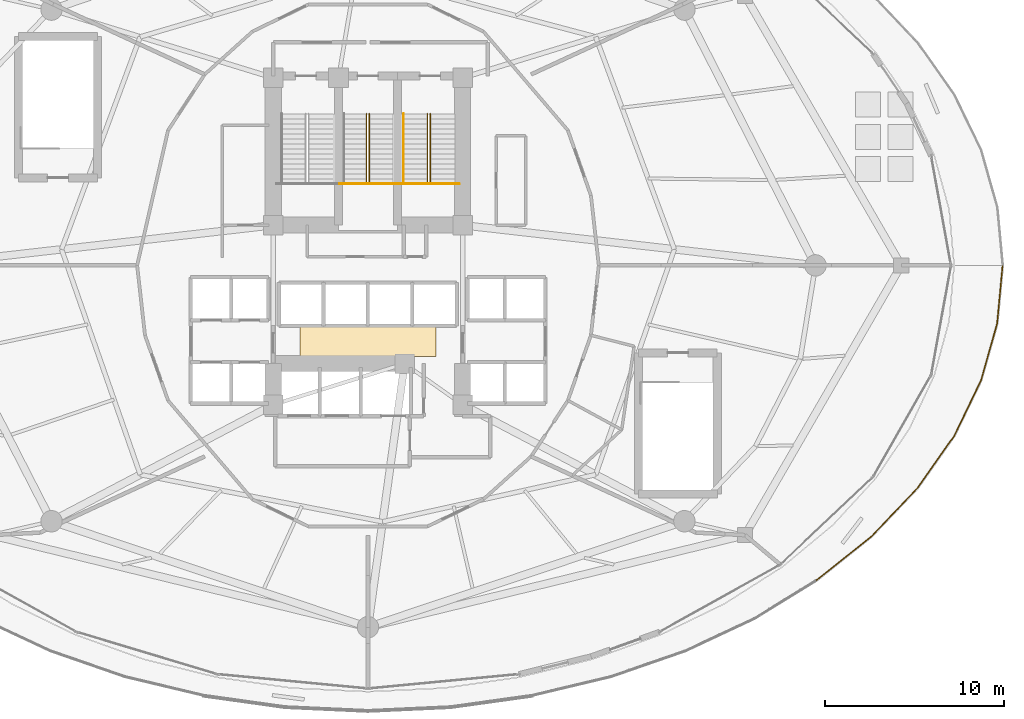
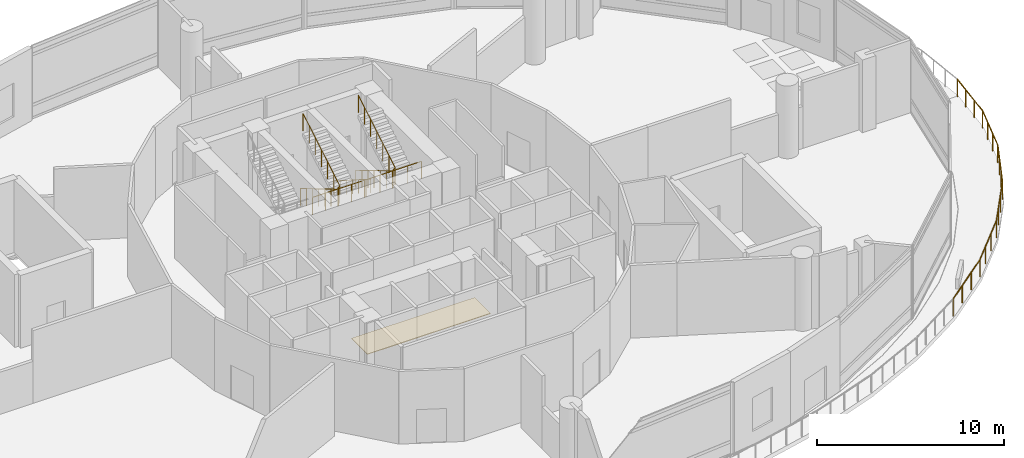
# One storey, part 32 of 34: 6 railings, 1 covering.
"""IFC4 building model written with IfcOpenShell, lengths in metres."""

from ifc_helpers import new_model, si_unit, direction, frame, origin, place, context, subcontext, project, spatial, polyline, outline, extrude, material, layer, layer_set, type_object, element, save


model = new_model("IFC4")

# Units and contexts
model_context = context("Model", 3, precision=1e-05, world=origin(), true_north=direction((0.0, 1.0)))
body_context = subcontext(model_context, "Body", "Model", "MODEL_VIEW")
ifc_project = project(units=[si_unit("LENGTHUNIT", "METRE"), si_unit("AREAUNIT", "SQUARE_METRE"), si_unit("VOLUMEUNIT", "CUBIC_METRE"), si_unit("PLANEANGLEUNIT", "RADIAN"), si_unit("MASSUNIT", "GRAM", prefix="KILO")], contexts=[model_context])

# Site, building, storey
site_placement = place(None, origin())
site = spatial("IfcSite", under=ifc_project, at=site_placement, CompositionType="ELEMENT")
building_placement = place(site_placement, origin())
building = spatial("IfcBuilding", under=site, at=building_placement, Name="Nuhasar Tower", CompositionType="ELEMENT")
storey_placement = place(building_placement, frame((0.0, 0.0, 16.0)))
storey = spatial("IfcBuildingStorey", under=building, at=storey_placement, Name="L03", CompositionType="ELEMENT", Elevation=16.0)

# Covering
ifc_material_1 = material(Name="Granite Stone Tile", Category="masonry")
ifc_layer = layer(ifc_material_1, 0.0400390625)
ifc_layer_set = layer_set([ifc_layer], Name="Granite Stone Tile")
covering_type = type_object("IfcCoveringType", Name="COV-FLR-STN40", PredefinedType="FLOORING", material=ifc_layer_set)
covering_placement = place(storey_placement, origin())
element("IfcCovering", 1, at=covering_placement, inside=storey, type_object=covering_type, Name="L03 Granite Lobby Flooring", PredefinedType="FLOORING", context=body_context, shape_type="SweptSolid", body=[
    extrude(outline(polyline([(35.199951171875, 21.699951171875), (42.800048828125, 21.699951171875), (42.800048828125, 23.39990234375), (35.199951171875, 23.39990234375), (35.199951171875, 21.699951171875)])), origin(), (0.0, 0.0, 1.0), 0.0400390625),
])

# Railings
ifc_material_2 = material(Name="Steel S355", Category="steel")
railing_type_1 = type_object("IfcRailingType", Name="RLG-STAIR-GUARD-1150", PredefinedType="GUARDRAIL", material=ifc_material_2)
railing_1_placement = place(storey_placement, frame((37.39990234375, 31.364990234375, 2.5)))
element("IfcRailing", 2, at=railing_1_placement, inside=storey, type_object=railing_type_1, Name="L03 Stair ST-03 Guardrail LND", PredefinedType="GUARDRAIL", context=body_context, shape_type="SweptSolid", body=[
    extrude(outline(polyline([(0.024169921875, 0.0), (0.01708984375, 0.01708984375), (0.0, 0.024169921875), (-0.01708984375, 0.01708984375), (-0.024169921875, 0.0), (-0.01708984375, -0.01708984375), (0.0, -0.024169921875), (0.01708984375, -0.01708984375), (0.024169921875, 0.0)])), frame((0.0, 0.0, 1.1259765625), z_axis=(1.0, 0.0, 0.0), x_axis=(0.0, 1.0, 0.0)), (0.0, 0.0, 1.0), 3.2001953125),
    extrude(outline(polyline([(0.02099609375, 0.0), (0.014892578125, 0.014892578125), (0.0, 0.02099609375), (-0.014892578125, 0.014892578125), (-0.02099609375, 0.0), (-0.014892578125, -0.014892578125), (0.0, -0.02099609375), (0.014892578125, -0.014892578125), (0.02099609375, 0.0)])), origin(), (0.0, 0.0, 1.0), 1.101806640625),
    extrude(outline(polyline([(0.02099609375, 0.0), (0.014892578125, 0.014892578125), (0.0, 0.02099609375), (-0.014892578125, 0.014892578125), (-0.02099609375, 0.0), (-0.014892578125, -0.014892578125), (0.0, -0.02099609375), (0.014892578125, -0.014892578125), (0.02099609375, 0.0)])), frame((0.800048828125, 0.0, 0.0)), (0.0, 0.0, 1.0), 1.101806640625),
    extrude(outline(polyline([(0.02099609375, 0.0), (0.014892578125, 0.014892578125), (0.0, 0.02099609375), (-0.014892578125, 0.014892578125), (-0.02099609375, 0.0), (-0.014892578125, -0.014892578125), (0.0, -0.02099609375), (0.014892578125, -0.014892578125), (0.02099609375, 0.0)])), frame((1.60009765625, 0.0, 0.0)), (0.0, 0.0, 1.0), 1.101806640625),
    extrude(outline(polyline([(0.02099609375, 0.0), (0.014892578125, 0.014892578125), (0.0, 0.02099609375), (-0.014892578125, 0.014892578125), (-0.02099609375, 0.0), (-0.014892578125, -0.014892578125), (0.0, -0.02099609375), (0.014892578125, -0.014892578125), (0.02099609375, 0.0)])), frame((2.400146484375, 0.0, 0.0)), (0.0, 0.0, 1.0), 1.101806640625),
    extrude(outline(polyline([(0.02099609375, 0.0), (0.014892578125, 0.014892578125), (0.0, 0.02099609375), (-0.014892578125, 0.014892578125), (-0.02099609375, 0.0), (-0.014892578125, -0.014892578125), (0.0, -0.02099609375), (0.014892578125, -0.014892578125), (0.02099609375, 0.0)])), frame((3.2001953125, 0.0, 0.0)), (0.0, 0.0, 1.0), 1.101806640625),
])
railing_2_placement = place(storey_placement, frame((38.919921875, 35.284912109375, 0.1669921875)))
element("IfcRailing", 3, at=railing_2_placement, inside=storey, type_object=railing_type_1, Name="L03 Stair ST-03 Guardrail SLT", PredefinedType="GUARDRAIL", context=body_context, shape_type="SweptSolid", body=[
    extrude(outline(polyline([(0.024169921875, 0.0), (0.01708984375, 0.01708984375), (0.0, 0.024169921875), (-0.01708984375, 0.01708984375), (-0.024169921875, 0.0), (-0.01708984375, -0.01708984375), (0.0, -0.024169921875), (0.01708984375, -0.01708984375), (0.024169921875, 0.0)])), frame((0.0, 0.0, 1.1259765625), z_axis=(0.0, -0.85931976652, 0.511438695121), x_axis=(1.0, 0.0, 0.0)), (0.0, 0.0, 1.0), 4.561767578125),
    extrude(outline(polyline([(0.024169921875, 0.0), (0.01708984375, 0.01708984375), (0.0, 0.024169921875), (-0.01708984375, 0.01708984375), (-0.024169921875, 0.0), (-0.01708984375, -0.01708984375), (0.0, -0.024169921875), (0.01708984375, -0.01708984375), (0.024169921875, 0.0)])), frame((0.0, -3.919921875, 3.458984375), z_axis=(0.692180321226, 0.0, 0.72172460323), x_axis=(0.0, 1.0, 0.0)), (0.0, 0.0, 1.0), 0.2314453125),
    extrude(outline(polyline([(0.024169921875, 0.0), (0.01708984375, 0.01708984375), (0.0, 0.024169921875), (-0.01708984375, 0.01708984375), (-0.024169921875, 0.0), (-0.01708984375, -0.01708984375), (0.0, -0.024169921875), (0.01708984375, -0.01708984375), (0.024169921875, 0.0)])), frame((0.16015625, -3.919921875, 3.6259765625), z_axis=(0.0, 0.85931976652, 0.511438695121), x_axis=(-1.0, 0.0, 0.0)), (0.0, 0.0, 1.0), 4.561767578125),
    extrude(outline(polyline([(0.02099609375, 0.0), (0.014892578125, 0.014892578125), (0.0, 0.02099609375), (-0.014892578125, 0.014892578125), (-0.02099609375, 0.0), (-0.014892578125, -0.014892578125), (0.0, -0.02099609375), (0.014892578125, -0.014892578125), (0.02099609375, 0.0)])), origin(), (0.0, 0.0, 1.0), 1.101806640625),
    extrude(outline(polyline([(0.02099609375, 0.0), (0.014892578125, 0.014892578125), (0.0, 0.02099609375), (-0.014892578125, 0.014892578125), (-0.02099609375, 0.0), (-0.014892578125, -0.014892578125), (0.0, -0.02099609375), (0.014892578125, -0.014892578125), (0.02099609375, 0.0)])), frame((0.0, -0.6533203125, 0.388916015625)), (0.0, 0.0, 1.0), 1.101806640625),
    extrude(outline(polyline([(0.02099609375, 0.0), (0.014892578125, 0.014892578125), (0.0, 0.02099609375), (-0.014892578125, 0.014892578125), (-0.02099609375, 0.0), (-0.014892578125, -0.014892578125), (0.0, -0.02099609375), (0.014892578125, -0.014892578125), (0.02099609375, 0.0)])), frame((0.0, -1.306640625, 0.777587890625)), (0.0, 0.0, 1.0), 1.101806640625),
    extrude(outline(polyline([(0.02099609375, 0.0), (0.014892578125, 0.014892578125), (0.0, 0.02099609375), (-0.014892578125, 0.014892578125), (-0.02099609375, 0.0), (-0.014892578125, -0.014892578125), (0.0, -0.02099609375), (0.014892578125, -0.014892578125), (0.02099609375, 0.0)])), frame((0.0, -1.9599609375, 1.16650390625)), (0.0, 0.0, 1.0), 1.101806640625),
    extrude(outline(polyline([(0.02099609375, 0.0), (0.014892578125, 0.014892578125), (0.0, 0.02099609375), (-0.014892578125, 0.014892578125), (-0.02099609375, 0.0), (-0.014892578125, -0.014892578125), (0.0, -0.02099609375), (0.014892578125, -0.014892578125), (0.02099609375, 0.0)])), frame((0.0, -2.61328125, 1.555419921875)), (0.0, 0.0, 1.0), 1.101806640625),
    extrude(outline(polyline([(0.02099609375, 0.0), (0.014892578125, 0.014892578125), (0.0, 0.02099609375), (-0.014892578125, 0.014892578125), (-0.02099609375, 0.0), (-0.014892578125, -0.014892578125), (0.0, -0.02099609375), (0.014892578125, -0.014892578125), (0.02099609375, 0.0)])), frame((0.0, -3.2666015625, 1.944091796875)), (0.0, 0.0, 1.0), 1.101806640625),
    extrude(outline(polyline([(0.02099609375, 0.0), (0.014892578125, 0.014892578125), (0.0, 0.02099609375), (-0.014892578125, 0.014892578125), (-0.02099609375, 0.0), (-0.014892578125, -0.014892578125), (0.0, -0.02099609375), (0.014892578125, -0.014892578125), (0.02099609375, 0.0)])), frame((0.0, -3.919921875, 2.3330078125)), (0.0, 0.0, 1.0), 1.101806640625),
    extrude(outline(polyline([(0.02099609375, 0.0), (0.014892578125, 0.014892578125), (0.0, 0.02099609375), (-0.014892578125, 0.014892578125), (-0.02099609375, 0.0), (-0.014892578125, -0.014892578125), (0.0, -0.02099609375), (0.014892578125, -0.014892578125), (0.02099609375, 0.0)])), frame((0.16015625, -3.919921875, 2.5)), (0.0, 0.0, 1.0), 1.101806640625),
    extrude(outline(polyline([(0.02099609375, 0.0), (0.014892578125, 0.014892578125), (0.0, 0.02099609375), (-0.014892578125, 0.014892578125), (-0.02099609375, 0.0), (-0.014892578125, -0.014892578125), (0.0, -0.02099609375), (0.014892578125, -0.014892578125), (0.02099609375, 0.0)])), frame((0.16015625, -3.2666015625, 2.888916015625)), (0.0, 0.0, 1.0), 1.101806640625),
    extrude(outline(polyline([(0.02099609375, 0.0), (0.014892578125, 0.014892578125), (0.0, 0.02099609375), (-0.014892578125, 0.014892578125), (-0.02099609375, 0.0), (-0.014892578125, -0.014892578125), (0.0, -0.02099609375), (0.014892578125, -0.014892578125), (0.02099609375, 0.0)])), frame((0.16015625, -2.61328125, 3.277587890625)), (0.0, 0.0, 1.0), 1.101806640625),
    extrude(outline(polyline([(0.02099609375, 0.0), (0.014892578125, 0.014892578125), (0.0, 0.02099609375), (-0.014892578125, 0.014892578125), (-0.02099609375, 0.0), (-0.014892578125, -0.014892578125), (0.0, -0.02099609375), (0.014892578125, -0.014892578125), (0.02099609375, 0.0)])), frame((0.16015625, -1.9599609375, 3.66650390625)), (0.0, 0.0, 1.0), 1.101806640625),
    extrude(outline(polyline([(0.02099609375, 0.0), (0.014892578125, 0.014892578125), (0.0, 0.02099609375), (-0.014892578125, 0.014892578125), (-0.02099609375, 0.0), (-0.014892578125, -0.014892578125), (0.0, -0.02099609375), (0.014892578125, -0.014892578125), (0.02099609375, 0.0)])), frame((0.16015625, -1.306640625, 4.055419921875)), (0.0, 0.0, 1.0), 1.101806640625),
    extrude(outline(polyline([(0.02099609375, 0.0), (0.014892578125, 0.014892578125), (0.0, 0.02099609375), (-0.014892578125, 0.014892578125), (-0.02099609375, 0.0), (-0.014892578125, -0.014892578125), (0.0, -0.02099609375), (0.014892578125, -0.014892578125), (0.02099609375, 0.0)])), frame((0.16015625, -0.6533203125, 4.444091796875)), (0.0, 0.0, 1.0), 1.101806640625),
    extrude(outline(polyline([(0.02099609375, 0.0), (0.014892578125, 0.014892578125), (0.0, 0.02099609375), (-0.014892578125, 0.014892578125), (-0.02099609375, 0.0), (-0.014892578125, -0.014892578125), (0.0, -0.02099609375), (0.014892578125, -0.014892578125), (0.02099609375, 0.0)])), frame((0.16015625, 0.0, 4.8330078125)), (0.0, 0.0, 1.0), 1.101806640625),
])
railing_3_placement = place(storey_placement, frame((40.699951171875, 31.364990234375, 2.5)))
element("IfcRailing", 4, at=railing_3_placement, inside=storey, type_object=railing_type_1, Name="L03 Stair ST-02 Guardrail LND", PredefinedType="GUARDRAIL", context=body_context, shape_type="SweptSolid", body=[
    extrude(outline(polyline([(0.024169921875, 0.0), (0.01708984375, 0.01708984375), (0.0, 0.024169921875), (-0.01708984375, 0.01708984375), (-0.024169921875, 0.0), (-0.01708984375, -0.01708984375), (0.0, -0.024169921875), (0.01708984375, -0.01708984375), (0.024169921875, 0.0)])), frame((0.0, 0.0, 1.1259765625), z_axis=(1.0, 0.0, 0.0), x_axis=(0.0, 1.0, 0.0)), (0.0, 0.0, 1.0), 3.420166015625),
    extrude(outline(polyline([(0.02099609375, 0.0), (0.014892578125, 0.014892578125), (0.0, 0.02099609375), (-0.014892578125, 0.014892578125), (-0.02099609375, 0.0), (-0.014892578125, -0.014892578125), (0.0, -0.02099609375), (0.014892578125, -0.014892578125), (0.02099609375, 0.0)])), origin(), (0.0, 0.0, 1.0), 1.101806640625),
    extrude(outline(polyline([(0.02099609375, 0.0), (0.014892578125, 0.014892578125), (0.0, 0.02099609375), (-0.014892578125, 0.014892578125), (-0.02099609375, 0.0), (-0.014892578125, -0.014892578125), (0.0, -0.02099609375), (0.014892578125, -0.014892578125), (0.02099609375, 0.0)])), frame((0.85498046875, 0.0, 0.0)), (0.0, 0.0, 1.0), 1.101806640625),
    extrude(outline(polyline([(0.02099609375, 0.0), (0.014892578125, 0.014892578125), (0.0, 0.02099609375), (-0.014892578125, 0.014892578125), (-0.02099609375, 0.0), (-0.014892578125, -0.014892578125), (0.0, -0.02099609375), (0.014892578125, -0.014892578125), (0.02099609375, 0.0)])), frame((1.7099609375, 0.0, 0.0)), (0.0, 0.0, 1.0), 1.101806640625),
    extrude(outline(polyline([(0.02099609375, 0.0), (0.014892578125, 0.014892578125), (0.0, 0.02099609375), (-0.014892578125, 0.014892578125), (-0.02099609375, 0.0), (-0.014892578125, -0.014892578125), (0.0, -0.02099609375), (0.014892578125, -0.014892578125), (0.02099609375, 0.0)])), frame((2.565185546875, 0.0, 0.0)), (0.0, 0.0, 1.0), 1.101806640625),
    extrude(outline(polyline([(0.02099609375, 0.0), (0.014892578125, 0.014892578125), (0.0, 0.02099609375), (-0.014892578125, 0.014892578125), (-0.02099609375, 0.0), (-0.014892578125, -0.014892578125), (0.0, -0.02099609375), (0.014892578125, -0.014892578125), (0.02099609375, 0.0)])), frame((3.420166015625, 0.0, 0.0)), (0.0, 0.0, 1.0), 1.101806640625),
])
railing_4_placement = place(storey_placement, frame((42.330078125, 35.284912109375, 0.1669921875)))
element("IfcRailing", 5, at=railing_4_placement, inside=storey, type_object=railing_type_1, Name="L03 Stair ST-02 Guardrail SLT", PredefinedType="GUARDRAIL", context=body_context, shape_type="SweptSolid", body=[
    extrude(outline(polyline([(0.024169921875, 0.0), (0.01708984375, 0.01708984375), (0.0, 0.024169921875), (-0.01708984375, 0.01708984375), (-0.024169921875, 0.0), (-0.01708984375, -0.01708984375), (0.0, -0.024169921875), (0.01708984375, -0.01708984375), (0.024169921875, 0.0)])), frame((0.0, 0.0, 1.1259765625), z_axis=(0.0, -0.85931976652, 0.511438695121), x_axis=(1.0, 0.0, 0.0)), (0.0, 0.0, 1.0), 4.561767578125),
    extrude(outline(polyline([(0.024169921875, 0.0), (0.01708984375, 0.01708984375), (0.0, 0.024169921875), (-0.01708984375, 0.01708984375), (-0.024169921875, 0.0), (-0.01708984375, -0.01708984375), (0.0, -0.024169921875), (0.01708984375, -0.01708984375), (0.024169921875, 0.0)])), frame((0.0, -3.919921875, 3.458984375), z_axis=(0.691630103864, 0.0, 0.722251894722), x_axis=(0.0, 1.0, 0.0)), (0.0, 0.0, 1.0), 0.231201171875),
    extrude(outline(polyline([(0.024169921875, 0.0), (0.01708984375, 0.01708984375), (0.0, 0.024169921875), (-0.01708984375, 0.01708984375), (-0.024169921875, 0.0), (-0.01708984375, -0.01708984375), (0.0, -0.024169921875), (0.01708984375, -0.01708984375), (0.024169921875, 0.0)])), frame((0.159912109375, -3.919921875, 3.6259765625), z_axis=(0.0, 0.85931976652, 0.511438695121), x_axis=(-1.0, 0.0, 0.0)), (0.0, 0.0, 1.0), 4.561767578125),
    extrude(outline(polyline([(0.02099609375, 0.0), (0.014892578125, 0.014892578125), (0.0, 0.02099609375), (-0.014892578125, 0.014892578125), (-0.02099609375, 0.0), (-0.014892578125, -0.014892578125), (0.0, -0.02099609375), (0.014892578125, -0.014892578125), (0.02099609375, 0.0)])), origin(), (0.0, 0.0, 1.0), 1.101806640625),
    extrude(outline(polyline([(0.02099609375, 0.0), (0.014892578125, 0.014892578125), (0.0, 0.02099609375), (-0.014892578125, 0.014892578125), (-0.02099609375, 0.0), (-0.014892578125, -0.014892578125), (0.0, -0.02099609375), (0.014892578125, -0.014892578125), (0.02099609375, 0.0)])), frame((0.0, -0.6533203125, 0.388916015625)), (0.0, 0.0, 1.0), 1.101806640625),
    extrude(outline(polyline([(0.02099609375, 0.0), (0.014892578125, 0.014892578125), (0.0, 0.02099609375), (-0.014892578125, 0.014892578125), (-0.02099609375, 0.0), (-0.014892578125, -0.014892578125), (0.0, -0.02099609375), (0.014892578125, -0.014892578125), (0.02099609375, 0.0)])), frame((0.0, -1.306640625, 0.777587890625)), (0.0, 0.0, 1.0), 1.101806640625),
    extrude(outline(polyline([(0.02099609375, 0.0), (0.014892578125, 0.014892578125), (0.0, 0.02099609375), (-0.014892578125, 0.014892578125), (-0.02099609375, 0.0), (-0.014892578125, -0.014892578125), (0.0, -0.02099609375), (0.014892578125, -0.014892578125), (0.02099609375, 0.0)])), frame((0.0, -1.9599609375, 1.16650390625)), (0.0, 0.0, 1.0), 1.101806640625),
    extrude(outline(polyline([(0.02099609375, 0.0), (0.014892578125, 0.014892578125), (0.0, 0.02099609375), (-0.014892578125, 0.014892578125), (-0.02099609375, 0.0), (-0.014892578125, -0.014892578125), (0.0, -0.02099609375), (0.014892578125, -0.014892578125), (0.02099609375, 0.0)])), frame((0.0, -2.61328125, 1.555419921875)), (0.0, 0.0, 1.0), 1.101806640625),
    extrude(outline(polyline([(0.02099609375, 0.0), (0.014892578125, 0.014892578125), (0.0, 0.02099609375), (-0.014892578125, 0.014892578125), (-0.02099609375, 0.0), (-0.014892578125, -0.014892578125), (0.0, -0.02099609375), (0.014892578125, -0.014892578125), (0.02099609375, 0.0)])), frame((0.0, -3.2666015625, 1.944091796875)), (0.0, 0.0, 1.0), 1.101806640625),
    extrude(outline(polyline([(0.02099609375, 0.0), (0.014892578125, 0.014892578125), (0.0, 0.02099609375), (-0.014892578125, 0.014892578125), (-0.02099609375, 0.0), (-0.014892578125, -0.014892578125), (0.0, -0.02099609375), (0.014892578125, -0.014892578125), (0.02099609375, 0.0)])), frame((0.0, -3.919921875, 2.3330078125)), (0.0, 0.0, 1.0), 1.101806640625),
    extrude(outline(polyline([(0.02099609375, 0.0), (0.014892578125, 0.014892578125), (0.0, 0.02099609375), (-0.014892578125, 0.014892578125), (-0.02099609375, 0.0), (-0.014892578125, -0.014892578125), (0.0, -0.02099609375), (0.014892578125, -0.014892578125), (0.02099609375, 0.0)])), frame((0.159912109375, -3.919921875, 2.5)), (0.0, 0.0, 1.0), 1.101806640625),
    extrude(outline(polyline([(0.02099609375, 0.0), (0.014892578125, 0.014892578125), (0.0, 0.02099609375), (-0.014892578125, 0.014892578125), (-0.02099609375, 0.0), (-0.014892578125, -0.014892578125), (0.0, -0.02099609375), (0.014892578125, -0.014892578125), (0.02099609375, 0.0)])), frame((0.159912109375, -3.2666015625, 2.888916015625)), (0.0, 0.0, 1.0), 1.101806640625),
    extrude(outline(polyline([(0.02099609375, 0.0), (0.014892578125, 0.014892578125), (0.0, 0.02099609375), (-0.014892578125, 0.014892578125), (-0.02099609375, 0.0), (-0.014892578125, -0.014892578125), (0.0, -0.02099609375), (0.014892578125, -0.014892578125), (0.02099609375, 0.0)])), frame((0.159912109375, -2.61328125, 3.277587890625)), (0.0, 0.0, 1.0), 1.101806640625),
    extrude(outline(polyline([(0.02099609375, 0.0), (0.014892578125, 0.014892578125), (0.0, 0.02099609375), (-0.014892578125, 0.014892578125), (-0.02099609375, 0.0), (-0.014892578125, -0.014892578125), (0.0, -0.02099609375), (0.014892578125, -0.014892578125), (0.02099609375, 0.0)])), frame((0.159912109375, -1.9599609375, 3.66650390625)), (0.0, 0.0, 1.0), 1.101806640625),
    extrude(outline(polyline([(0.02099609375, 0.0), (0.014892578125, 0.014892578125), (0.0, 0.02099609375), (-0.014892578125, 0.014892578125), (-0.02099609375, 0.0), (-0.014892578125, -0.014892578125), (0.0, -0.02099609375), (0.014892578125, -0.014892578125), (0.02099609375, 0.0)])), frame((0.159912109375, -1.306640625, 4.055419921875)), (0.0, 0.0, 1.0), 1.101806640625),
    extrude(outline(polyline([(0.02099609375, 0.0), (0.014892578125, 0.014892578125), (0.0, 0.02099609375), (-0.014892578125, 0.014892578125), (-0.02099609375, 0.0), (-0.014892578125, -0.014892578125), (0.0, -0.02099609375), (0.014892578125, -0.014892578125), (0.02099609375, 0.0)])), frame((0.159912109375, -0.6533203125, 4.444091796875)), (0.0, 0.0, 1.0), 1.101806640625),
    extrude(outline(polyline([(0.02099609375, 0.0), (0.014892578125, 0.014892578125), (0.0, 0.02099609375), (-0.014892578125, 0.014892578125), (-0.02099609375, 0.0), (-0.014892578125, -0.014892578125), (0.0, -0.02099609375), (0.014892578125, -0.014892578125), (0.02099609375, 0.0)])), frame((0.159912109375, 0.0, 4.8330078125)), (0.0, 0.0, 1.0), 1.101806640625),
])
ifc_material_3 = material(Name="Stainless Steel 316L", Category="steel")
railing_type_2 = type_object("IfcRailingType", Name="RLG-STAIR-HAND-920", PredefinedType="HANDRAIL", material=ifc_material_3)
railing_5_placement = place(storey_placement, frame((40.989990234375, 35.284912109375, 0.1669921875)))
element("IfcRailing", 6, at=railing_5_placement, inside=storey, type_object=railing_type_2, Name="L03 Stair ST-02 Handrail HND1", PredefinedType="HANDRAIL", context=body_context, shape_type="SweptSolid", body=[
    extrude(outline(polyline([(0.024169921875, 0.0), (0.01708984375, 0.01708984375), (0.0, 0.024169921875), (-0.01708984375, 0.01708984375), (-0.024169921875, 0.0), (-0.01708984375, -0.01708984375), (0.0, -0.024169921875), (0.01708984375, -0.01708984375), (0.024169921875, 0.0)])), frame((0.0, 0.0, 0.89599609375), z_axis=(0.0, -0.843124831705, 0.537717879712), x_axis=(1.0, 0.0, 0.0)), (0.0, 0.0, 1.0), 4.649169921875),
    extrude(outline(polyline([(0.02099609375, 0.0), (0.014892578125, 0.014892578125), (0.0, 0.02099609375), (-0.014892578125, 0.014892578125), (-0.02099609375, 0.0), (-0.014892578125, -0.014892578125), (0.0, -0.02099609375), (0.014892578125, -0.014892578125), (0.02099609375, 0.0)])), origin(), (0.0, 0.0, 1.0), 0.871826171875),
    extrude(outline(polyline([(0.02099609375, 0.0), (0.014892578125, 0.014892578125), (0.0, 0.02099609375), (-0.014892578125, 0.014892578125), (-0.02099609375, 0.0), (-0.014892578125, -0.014892578125), (0.0, -0.02099609375), (0.014892578125, -0.014892578125), (0.02099609375, 0.0)])), frame((0.0, -0.6533203125, 0.416748046875)), (0.0, 0.0, 1.0), 0.871826171875),
    extrude(outline(polyline([(0.02099609375, 0.0), (0.014892578125, 0.014892578125), (0.0, 0.02099609375), (-0.014892578125, 0.014892578125), (-0.02099609375, 0.0), (-0.014892578125, -0.014892578125), (0.0, -0.02099609375), (0.014892578125, -0.014892578125), (0.02099609375, 0.0)])), frame((0.0, -1.306640625, 0.833251953125)), (0.0, 0.0, 1.0), 0.871826171875),
    extrude(outline(polyline([(0.02099609375, 0.0), (0.014892578125, 0.014892578125), (0.0, 0.02099609375), (-0.014892578125, 0.014892578125), (-0.02099609375, 0.0), (-0.014892578125, -0.014892578125), (0.0, -0.02099609375), (0.014892578125, -0.014892578125), (0.02099609375, 0.0)])), frame((0.0, -1.9599609375, 1.25)), (0.0, 0.0, 1.0), 0.871826171875),
    extrude(outline(polyline([(0.02099609375, 0.0), (0.014892578125, 0.014892578125), (0.0, 0.02099609375), (-0.014892578125, 0.014892578125), (-0.02099609375, 0.0), (-0.014892578125, -0.014892578125), (0.0, -0.02099609375), (0.014892578125, -0.014892578125), (0.02099609375, 0.0)])), frame((0.0, -2.61328125, 1.666748046875)), (0.0, 0.0, 1.0), 0.871826171875),
    extrude(outline(polyline([(0.02099609375, 0.0), (0.014892578125, 0.014892578125), (0.0, 0.02099609375), (-0.014892578125, 0.014892578125), (-0.02099609375, 0.0), (-0.014892578125, -0.014892578125), (0.0, -0.02099609375), (0.014892578125, -0.014892578125), (0.02099609375, 0.0)])), frame((0.0, -3.2666015625, 2.083251953125)), (0.0, 0.0, 1.0), 0.871826171875),
    extrude(outline(polyline([(0.02099609375, 0.0), (0.014892578125, 0.014892578125), (0.0, 0.02099609375), (-0.014892578125, 0.014892578125), (-0.02099609375, 0.0), (-0.014892578125, -0.014892578125), (0.0, -0.02099609375), (0.014892578125, -0.014892578125), (0.02099609375, 0.0)])), frame((0.0, -3.919921875, 2.5)), (0.0, 0.0, 1.0), 0.871826171875),
])
railing_type_3 = type_object("IfcRailingType", Name="RLG-TERR-1150", PredefinedType="BALUSTRADE", material=ifc_material_2)
railing_6_placement = place(storey_placement, frame((64.115966796875, 9.178955078125, 0.0)))
element("IfcRailing", 7, at=railing_6_placement, inside=storey, type_object=railing_type_3, Name="L03 Bustan Terrace Perimeter Balustrade 08", PredefinedType="BALUSTRADE", context=body_context, shape_type="SweptSolid", body=[
    extrude(outline(polyline([(0.024169921875, 0.0), (0.01708984375, 0.01708984375), (0.0, 0.024169921875), (-0.01708984375, 0.01708984375), (-0.024169921875, 0.0), (-0.01708984375, -0.01708984375), (0.0, -0.024169921875), (0.01708984375, -0.01708984375), (0.024169921875, 0.0)])), frame((0.0, 0.0, 1.1259765625), z_axis=(0.780899161224, 0.624657105939, 0.0), x_axis=(-0.624657105939, 0.780899161224, 0.0)), (0.0, 0.0, 1.0), 3.923583984375),
    extrude(outline(polyline([(0.024169921875, 0.0), (0.01708984375, 0.01708984375), (0.0, 0.024169921875), (-0.01708984375, 0.01708984375), (-0.024169921875, 0.0), (-0.01708984375, -0.01708984375), (0.0, -0.024169921875), (0.01708984375, -0.01708984375), (0.024169921875, 0.0)])), frame((3.06396484375, 2.450927734375, 1.1259765625), z_axis=(0.689642141237, 0.724150341456, 0.0), x_axis=(-0.724150341456, 0.689642141237, 0.0)), (0.0, 0.0, 1.0), 3.74267578125),
    extrude(outline(polyline([(0.024169921875, 0.0), (0.01708984375, 0.01708984375), (0.0, 0.024169921875), (-0.01708984375, 0.01708984375), (-0.024169921875, 0.0), (-0.01708984375, -0.01708984375), (0.0, -0.024169921875), (0.01708984375, -0.01708984375), (0.024169921875, 0.0)])), frame((5.64501953125, 5.1611328125, 1.1259765625), z_axis=(0.575011024195, 0.818145660658, 0.0), x_axis=(-0.818145660658, 0.575011024195, 0.0)), (0.0, 0.0, 1.0), 3.57373046875),
    extrude(outline(polyline([(0.024169921875, 0.0), (0.01708984375, 0.01708984375), (0.0, 0.024169921875), (-0.01708984375, 0.01708984375), (-0.024169921875, 0.0), (-0.01708984375, -0.01708984375), (0.0, -0.024169921875), (0.01708984375, -0.01708984375), (0.024169921875, 0.0)])), frame((7.699951171875, 8.0849609375, 1.1259765625), z_axis=(0.435756333152, 0.900064674408, 0.0), x_axis=(-0.900064674408, 0.435756333152, 0.0)), (0.0, 0.0, 1.0), 3.428955078125),
    extrude(outline(polyline([(0.024169921875, 0.0), (0.01708984375, 0.01708984375), (0.0, 0.024169921875), (-0.01708984375, 0.01708984375), (-0.024169921875, 0.0), (-0.01708984375, -0.01708984375), (0.0, -0.024169921875), (0.01708984375, -0.01708984375), (0.024169921875, 0.0)])), frame((9.194091796875, 11.171142578125, 1.1259765625), z_axis=(0.272653580986, 0.962112272438, 0.0), x_axis=(-0.962112272438, 0.272653580986, 0.0)), (0.0, 0.0, 1.0), 3.322998046875),
    extrude(outline(polyline([(0.024169921875, 0.0), (0.01708984375, 0.01708984375), (0.0, 0.024169921875), (-0.01708984375, 0.01708984375), (-0.024169921875, 0.0), (-0.01708984375, -0.01708984375), (0.0, -0.024169921875), (0.01708984375, -0.01708984375), (0.024169921875, 0.0)])), frame((10.10009765625, 14.3681640625, 1.1259765625), z_axis=(0.09298445531, 0.995667560519, 0.0), x_axis=(-0.995667560519, 0.09298445531, 0.0)), (0.0, 0.0, 1.0), 3.226806640625),
    extrude(outline(polyline([(0.02099609375, 0.0), (0.014892578125, 0.014892578125), (0.0, 0.02099609375), (-0.014892578125, 0.014892578125), (-0.02099609375, 0.0), (-0.014892578125, -0.014892578125), (0.0, -0.02099609375), (0.014892578125, -0.014892578125), (0.02099609375, 0.0)])), origin(), (0.0, 0.0, 1.0), 1.101806640625),
    extrude(outline(polyline([(0.02099609375, 0.0), (0.014892578125, 0.014892578125), (0.0, 0.02099609375), (-0.014892578125, 0.014892578125), (-0.02099609375, 0.0), (-0.014892578125, -0.014892578125), (0.0, -0.02099609375), (0.014892578125, -0.014892578125), (0.02099609375, 0.0)])), frame((1.021240234375, 0.81689453125, 0.0)), (0.0, 0.0, 1.0), 1.101806640625),
    extrude(outline(polyline([(0.02099609375, 0.0), (0.014892578125, 0.014892578125), (0.0, 0.02099609375), (-0.014892578125, 0.014892578125), (-0.02099609375, 0.0), (-0.014892578125, -0.014892578125), (0.0, -0.02099609375), (0.014892578125, -0.014892578125), (0.02099609375, 0.0)])), frame((2.042724609375, 1.634033203125, 0.0)), (0.0, 0.0, 1.0), 1.101806640625),
    extrude(outline(polyline([(0.02099609375, 0.0), (0.014892578125, 0.014892578125), (0.0, 0.02099609375), (-0.014892578125, 0.014892578125), (-0.02099609375, 0.0), (-0.014892578125, -0.014892578125), (0.0, -0.02099609375), (0.014892578125, -0.014892578125), (0.02099609375, 0.0)])), frame((3.06396484375, 2.450927734375, 0.0)), (0.0, 0.0, 1.0), 1.101806640625),
    extrude(outline(polyline([(0.02099609375, 0.0), (0.014892578125, 0.014892578125), (0.0, 0.02099609375), (-0.014892578125, 0.014892578125), (-0.02099609375, 0.0), (-0.014892578125, -0.014892578125), (0.0, -0.02099609375), (0.014892578125, -0.014892578125), (0.02099609375, 0.0)])), frame((3.92431640625, 3.354248046875, 0.0)), (0.0, 0.0, 1.0), 1.101806640625),
    extrude(outline(polyline([(0.02099609375, 0.0), (0.014892578125, 0.014892578125), (0.0, 0.02099609375), (-0.014892578125, 0.014892578125), (-0.02099609375, 0.0), (-0.014892578125, -0.014892578125), (0.0, -0.02099609375), (0.014892578125, -0.014892578125), (0.02099609375, 0.0)])), frame((4.78466796875, 4.2578125, 0.0)), (0.0, 0.0, 1.0), 1.101806640625),
    extrude(outline(polyline([(0.02099609375, 0.0), (0.014892578125, 0.014892578125), (0.0, 0.02099609375), (-0.014892578125, 0.014892578125), (-0.02099609375, 0.0), (-0.014892578125, -0.014892578125), (0.0, -0.02099609375), (0.014892578125, -0.014892578125), (0.02099609375, 0.0)])), frame((5.64501953125, 5.1611328125, 0.0)), (0.0, 0.0, 1.0), 1.101806640625),
    extrude(outline(polyline([(0.02099609375, 0.0), (0.014892578125, 0.014892578125), (0.0, 0.02099609375), (-0.014892578125, 0.014892578125), (-0.02099609375, 0.0), (-0.014892578125, -0.014892578125), (0.0, -0.02099609375), (0.014892578125, -0.014892578125), (0.02099609375, 0.0)])), frame((6.330078125, 6.1357421875, 0.0)), (0.0, 0.0, 1.0), 1.101806640625),
    extrude(outline(polyline([(0.02099609375, 0.0), (0.014892578125, 0.014892578125), (0.0, 0.02099609375), (-0.014892578125, 0.014892578125), (-0.02099609375, 0.0), (-0.014892578125, -0.014892578125), (0.0, -0.02099609375), (0.014892578125, -0.014892578125), (0.02099609375, 0.0)])), frame((7.014892578125, 7.1103515625, 0.0)), (0.0, 0.0, 1.0), 1.101806640625),
    extrude(outline(polyline([(0.02099609375, 0.0), (0.014892578125, 0.014892578125), (0.0, 0.02099609375), (-0.014892578125, 0.014892578125), (-0.02099609375, 0.0), (-0.014892578125, -0.014892578125), (0.0, -0.02099609375), (0.014892578125, -0.014892578125), (0.02099609375, 0.0)])), frame((7.699951171875, 8.0849609375, 0.0)), (0.0, 0.0, 1.0), 1.101806640625),
    extrude(outline(polyline([(0.02099609375, 0.0), (0.014892578125, 0.014892578125), (0.0, 0.02099609375), (-0.014892578125, 0.014892578125), (-0.02099609375, 0.0), (-0.014892578125, -0.014892578125), (0.0, -0.02099609375), (0.014892578125, -0.014892578125), (0.02099609375, 0.0)])), frame((8.197998046875, 9.11376953125, 0.0)), (0.0, 0.0, 1.0), 1.101806640625),
    extrude(outline(polyline([(0.02099609375, 0.0), (0.014892578125, 0.014892578125), (0.0, 0.02099609375), (-0.014892578125, 0.014892578125), (-0.02099609375, 0.0), (-0.014892578125, -0.014892578125), (0.0, -0.02099609375), (0.014892578125, -0.014892578125), (0.02099609375, 0.0)])), frame((8.696044921875, 10.142333984375, 0.0)), (0.0, 0.0, 1.0), 1.101806640625),
    extrude(outline(polyline([(0.02099609375, 0.0), (0.014892578125, 0.014892578125), (0.0, 0.02099609375), (-0.014892578125, 0.014892578125), (-0.02099609375, 0.0), (-0.014892578125, -0.014892578125), (0.0, -0.02099609375), (0.014892578125, -0.014892578125), (0.02099609375, 0.0)])), frame((9.194091796875, 11.171142578125, 0.0)), (0.0, 0.0, 1.0), 1.101806640625),
    extrude(outline(polyline([(0.02099609375, 0.0), (0.014892578125, 0.014892578125), (0.0, 0.02099609375), (-0.014892578125, 0.014892578125), (-0.02099609375, 0.0), (-0.014892578125, -0.014892578125), (0.0, -0.02099609375), (0.014892578125, -0.014892578125), (0.02099609375, 0.0)])), frame((9.49609375, 12.23681640625, 0.0)), (0.0, 0.0, 1.0), 1.101806640625),
    extrude(outline(polyline([(0.02099609375, 0.0), (0.014892578125, 0.014892578125), (0.0, 0.02099609375), (-0.014892578125, 0.014892578125), (-0.02099609375, 0.0), (-0.014892578125, -0.014892578125), (0.0, -0.02099609375), (0.014892578125, -0.014892578125), (0.02099609375, 0.0)])), frame((9.798095703125, 13.302490234375, 0.0)), (0.0, 0.0, 1.0), 1.101806640625),
    extrude(outline(polyline([(0.02099609375, 0.0), (0.014892578125, 0.014892578125), (0.0, 0.02099609375), (-0.014892578125, 0.014892578125), (-0.02099609375, 0.0), (-0.014892578125, -0.014892578125), (0.0, -0.02099609375), (0.014892578125, -0.014892578125), (0.02099609375, 0.0)])), frame((10.10009765625, 14.3681640625, 0.0)), (0.0, 0.0, 1.0), 1.101806640625),
    extrude(outline(polyline([(0.02099609375, 0.0), (0.014892578125, 0.014892578125), (0.0, 0.02099609375), (-0.014892578125, 0.014892578125), (-0.02099609375, 0.0), (-0.014892578125, -0.014892578125), (0.0, -0.02099609375), (0.014892578125, -0.014892578125), (0.02099609375, 0.0)])), frame((10.2001953125, 15.439208984375, 0.0)), (0.0, 0.0, 1.0), 1.101806640625),
    extrude(outline(polyline([(0.02099609375, 0.0), (0.014892578125, 0.014892578125), (0.0, 0.02099609375), (-0.014892578125, 0.014892578125), (-0.02099609375, 0.0), (-0.014892578125, -0.014892578125), (0.0, -0.02099609375), (0.014892578125, -0.014892578125), (0.02099609375, 0.0)])), frame((10.300048828125, 16.510009765625, 0.0)), (0.0, 0.0, 1.0), 1.101806640625),
    extrude(outline(polyline([(0.02099609375, 0.0), (0.014892578125, 0.014892578125), (0.0, 0.02099609375), (-0.014892578125, 0.014892578125), (-0.02099609375, 0.0), (-0.014892578125, -0.014892578125), (0.0, -0.02099609375), (0.014892578125, -0.014892578125), (0.02099609375, 0.0)])), frame((10.400146484375, 17.5810546875, 0.0)), (0.0, 0.0, 1.0), 1.101806640625),
])

save(model, "model.ifc")
